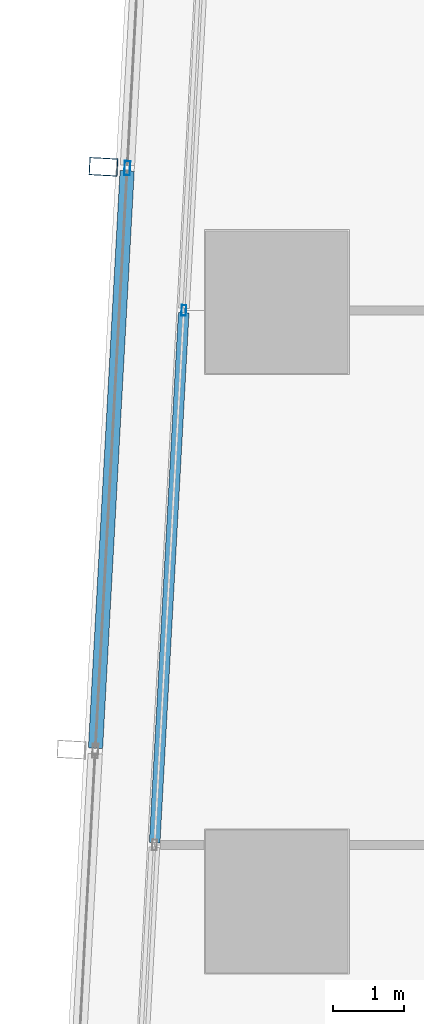
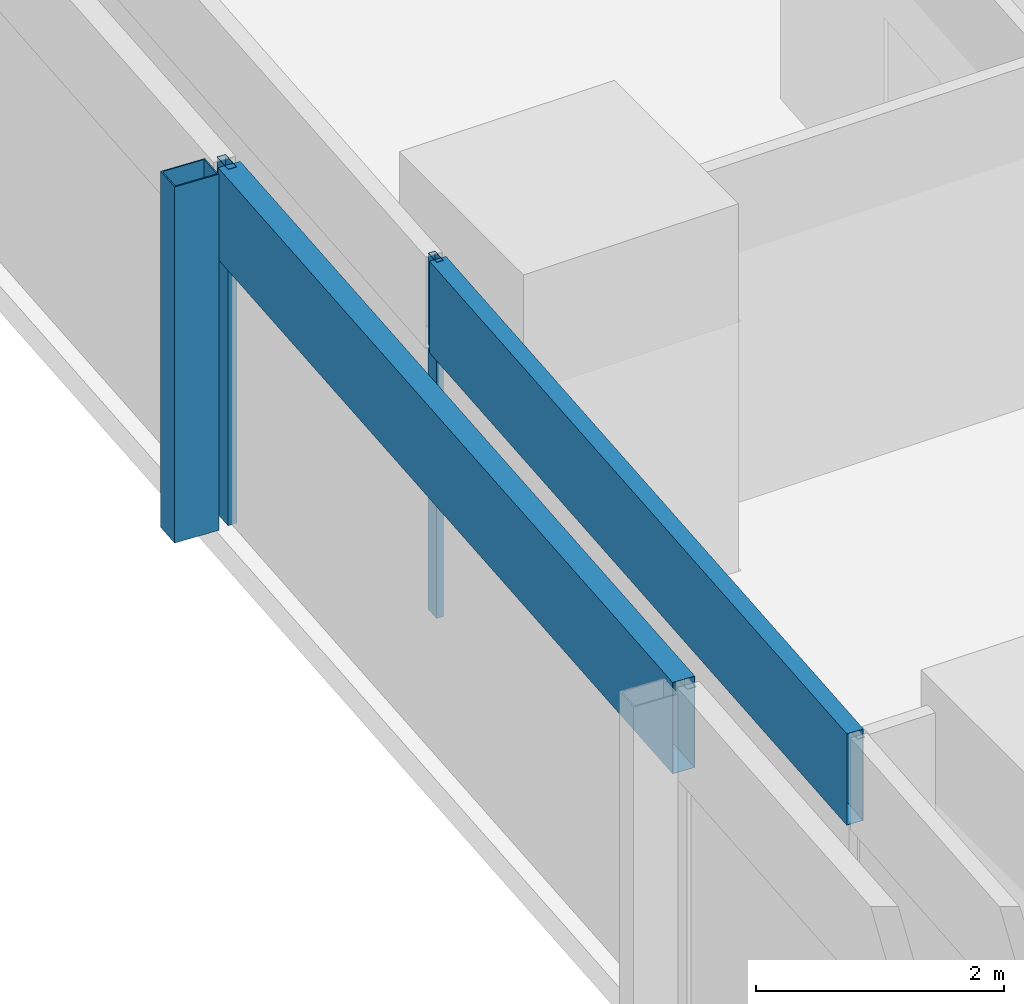
# One storey, part 14 of 39: 5 members, 2 elements without a shape of their own.
"""IFC4 building model written with IfcOpenShell, lengths in metres."""

from ifc_helpers import new_model, si_unit, direction, frame, origin, origin_2d, place, context, subcontext, project, spatial, hollow_rectangle, extrude, material, material_profile, profile_set, type_object, element, aggregate, save


model = new_model("IFC4")

# Units and contexts
model_context = context("Model", 3, precision=1e-05, world=origin(), true_north=direction((0.0, 1.0)))
body_context = subcontext(model_context, "Body", "Model", "MODEL_VIEW")
ifc_project = project(units=[si_unit("LENGTHUNIT", "METRE"), si_unit("AREAUNIT", "SQUARE_METRE"), si_unit("VOLUMEUNIT", "CUBIC_METRE"), si_unit("PLANEANGLEUNIT", "RADIAN"), si_unit("MASSUNIT", "GRAM", prefix="KILO")], contexts=[model_context])

# Site, building, storey
site_placement = place(None, origin())
site = spatial("IfcSite", under=ifc_project, at=site_placement, CompositionType="ELEMENT")
building_placement = place(site_placement, origin())
building = spatial("IfcBuilding", under=site, at=building_placement, Name="Rekha Terrace Tower", CompositionType="ELEMENT")
storey_placement = place(building_placement, frame((0.0, 0.0, 147.800048828125)))
storey = spatial("IfcBuildingStorey", under=building, at=storey_placement, Name="L37", CompositionType="ELEMENT", Elevation=147.800048828125)

# Curtain wall, member
ifc_material_1 = material(Name="Aluminium framing", Category="aluminium")
curtain_wall_type_1 = type_object("IfcCurtainWallType", Name="CW2 double skin outer glazing", PredefinedType="USERDEFINED", material=ifc_material_1)
curtain_wall_1_placement = place(storey_placement, origin())
curtain_wall_1 = element("IfcCurtainWall", 1, at=curtain_wall_1_placement, inside=storey, type_object=curtain_wall_type_1, Name="CW2 double skin outer glazing", ObjectType="DOUBLE SKIN OUTER GLAZING", PredefinedType="USERDEFINED")
ifc_material_2 = material(Name="Steel S355 with fluorocarbon finish", Category="steel")
ifc_material_profile_1 = material_profile(ifc_material_2, hollow_rectangle(XDim=0.25, YDim=0.39990234375, WallThickness=0.012451171875, at=origin_2d()), Name="RHS400x250x12.5")
ifc_profile_set_1 = profile_set([ifc_material_profile_1], Name="Steel S355 with fluorocarbon finish")
member_type_1 = type_object("IfcMemberType", Name="BL1 facade blade RHS 400 x 250", PredefinedType="USERDEFINED", material=ifc_profile_set_1)
member_1_placement = place(storey_placement, frame((5.969482421875, 52.29638671875, 0.0), z_axis=(0.0, 0.0, 1.0), x_axis=(-0.054742798353, -0.998500488747, 0.0)))
member_1 = element("IfcMember", 2, at=member_1_placement, type_object=member_type_1, Name="Facade blade", ObjectType="FACADE BLADE", PredefinedType="USERDEFINED", context=body_context, shape_type="SweptSolid", body=[
    extrude(hollow_rectangle(XDim=0.25, YDim=0.39990234375, WallThickness=0.012451171875, at=origin_2d()), origin(), (0.0, 0.0, 1.0), 3.5),
])

# Curtain wall, members
curtain_wall_type_2 = type_object("IfcCurtainWallType", Name="CW1 double skin inner glazing", PredefinedType="USERDEFINED", material=ifc_material_1)
curtain_wall_2_placement = place(storey_placement, origin())
curtain_wall_2 = element("IfcCurtainWall", 3, at=curtain_wall_2_placement, inside=storey, type_object=curtain_wall_type_2, Name="CW1 double skin inner glazing", ObjectType="DOUBLE SKIN INNER GLAZING", PredefinedType="USERDEFINED")
ifc_material_3 = material(Name="Aluminium mullion section", Category="aluminium")
ifc_material_profile_2 = material_profile(ifc_material_3, hollow_rectangle(XDim=0.06494140625, YDim=0.14990234375, WallThickness=0.00390625, at=origin_2d()), Name="AL RHS 65x150")
ifc_profile_set_2 = profile_set([ifc_material_profile_2], Name="Aluminium mullion section")
member_type_2 = type_object("IfcMemberType", Name="CW1 mullion RHS 65 x 150", PredefinedType="MULLION", material=ifc_profile_set_2)
member_2_placement = place(storey_placement, frame((7.095947265625, 50.284423828125, 0.0), z_axis=(0.0, 0.0, 1.0), x_axis=(0.99850051318, -0.054742352707, 0.0)))
member_2 = element("IfcMember", 4, at=member_2_placement, type_object=member_type_2, Name="CW1 mullion 2", PredefinedType="MULLION", context=body_context, shape_type="SweptSolid", body=[
    extrude(hollow_rectangle(XDim=0.06494140625, YDim=0.14990234375, WallThickness=0.00390625, at=origin_2d()), origin(), (0.0, 0.0, 1.0), 3.5),
])
ifc_material_4 = material(Name="Insulated aluminium spandrel box", Category="aluminium")
ifc_material_profile_3 = material_profile(ifc_material_4, hollow_rectangle(XDim=0.14990234375, YDim=0.89990234375, WallThickness=0.0029296875, at=origin_2d()), Name="AL SPANDREL BOX 150x900")
ifc_profile_set_3 = profile_set([ifc_material_profile_3], Name="Insulated aluminium spandrel box")
member_type_3 = type_object("IfcMemberType", Name="CW1 spandrel transom 150 x 900", PredefinedType="USERDEFINED", material=ifc_profile_set_3)
member_3_placement = place(storey_placement, frame((7.09423828125, 50.251953125, 3.050048828125), z_axis=(-0.05472814014, -0.998501292276, 0.0), x_axis=(0.998501292276, -0.05472814014, 0.0)))
member_3 = element("IfcMember", 5, at=member_3_placement, type_object=member_type_3, Name="CW1 spandrel transom 2", ObjectType="TRANSOM", PredefinedType="USERDEFINED", context=body_context, shape_type="SweptSolid", body=[
    extrude(hollow_rectangle(XDim=0.14990234375, YDim=0.89990234375, WallThickness=0.0029296875, at=origin_2d()), origin(), (0.0, 0.0, 1.0), 7.4365234375),
])
aggregate(curtain_wall_2, [member_2, member_3])

# Member
ifc_material_profile_4 = material_profile(ifc_material_3, hollow_rectangle(XDim=0.080078125, YDim=0.199951171875, WallThickness=0.00390625, at=origin_2d()), Name="AL RHS 80x200")
ifc_profile_set_4 = profile_set([ifc_material_profile_4], Name="Aluminium mullion section")
member_type_4 = type_object("IfcMemberType", Name="CW2 mullion RHS 80 x 200", PredefinedType="MULLION", material=ifc_profile_set_4)
member_4_placement = place(storey_placement, frame((6.303955078125, 52.278076171875, 0.0), z_axis=(0.0, 0.0, 1.0), x_axis=(0.99850051318, -0.054742352707, 0.0)))
member_4 = element("IfcMember", 6, at=member_4_placement, type_object=member_type_4, Name="CW2 mullion 2", PredefinedType="MULLION", context=body_context, shape_type="SweptSolid", body=[
    extrude(hollow_rectangle(XDim=0.080078125, YDim=0.199951171875, WallThickness=0.00390625, at=origin_2d()), origin(), (0.0, 0.0, 1.0), 3.5),
])

ifc_material_profile_5 = material_profile(ifc_material_4, hollow_rectangle(XDim=0.199951171875, YDim=0.89990234375, WallThickness=0.0029296875, at=origin_2d()), Name="AL SPANDREL BOX 200x900")
ifc_profile_set_5 = profile_set([ifc_material_profile_5], Name="Insulated aluminium spandrel box")
member_type_5 = type_object("IfcMemberType", Name="CW2 spandrel transom 200 x 900", PredefinedType="USERDEFINED", material=ifc_profile_set_5)
member_5_placement = place(storey_placement, frame((6.3017578125, 52.23828125, 3.050048828125), z_axis=(-0.054735499102, -0.998500888902, 0.0), x_axis=(0.998500888902, -0.054735499102, 0.0)))
member_5 = element("IfcMember", 7, at=member_5_placement, type_object=member_type_5, Name="CW2 spandrel transom 2", ObjectType="TRANSOM", PredefinedType="USERDEFINED", context=body_context, shape_type="SweptSolid", body=[
    extrude(hollow_rectangle(XDim=0.199951171875, YDim=0.89990234375, WallThickness=0.0029296875, at=origin_2d()), origin(), (0.0, 0.0, 1.0), 8.10009765625),
])

aggregate(curtain_wall_1, [member_4, member_5, member_1])

save(model, "model.ifc")
